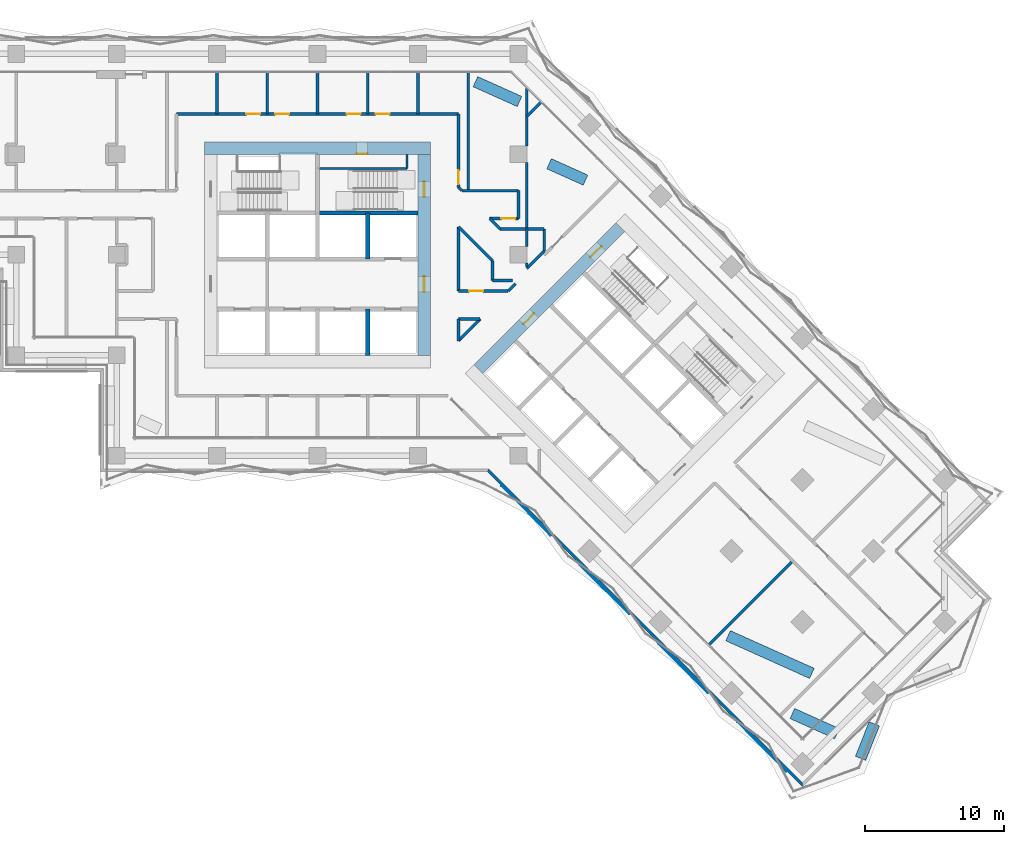
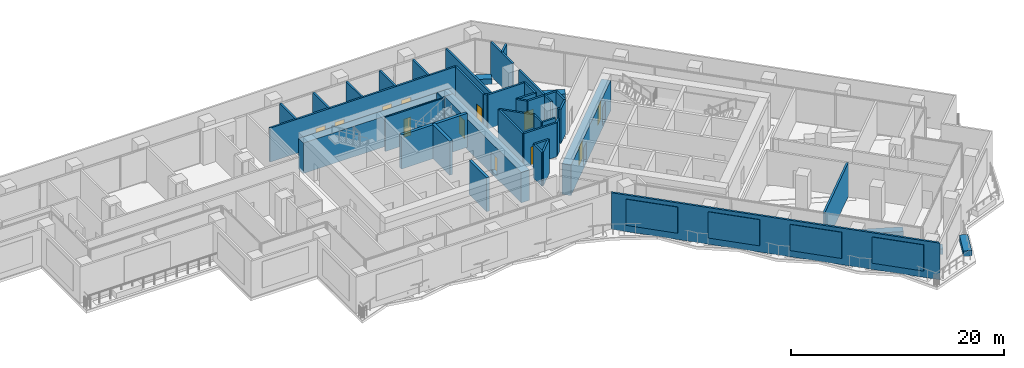
# One storey, part 15 of 24: 46 walls, 12 doors, 4 plates, 12 openings.
"""IFC4 building model written with IfcOpenShell, lengths in metres."""

import ifcopenshell
import ifcopenshell.guid

model = None  # the IFC model being written
_history = None  # IfcOwnerHistory: only IFC2X3 demands one
_inside = {}  # id of a spatial element -> (the spatial element, [elements in it])
_under = {}  # id of a project, library or spatial element -> (it, [spatial elements below it])
_declared = {}  # id of a project -> (the project, [libraries it declares])
_typed = {}  # id of a type object -> (the type object, [elements of that type])
_made_of = {}  # id of a material, layer set ... -> (it, [elements and type objects made of it])


def new_model(schema):
    """Start an empty IFC model of exactly this schema.

    Asked for "IFC4X3", IfcOpenShell would pick the latest addendum, in which some entities
    have other attributes; the version numbers below select the first issue.
    IFC2X3 requires an IfcOwnerHistory on every rooted entity: one is made here for all.
    """
    global model, _history
    if schema == "IFC4X3":
        model = ifcopenshell.file(schema_version=(4, 3, 0, 0))
    else:
        model = ifcopenshell.file(schema=schema)
    _inside.clear()
    _under.clear()
    _declared.clear()
    _typed.clear()
    _made_of.clear()
    _history = None
    if model.schema == "IFC2X3":
        org = make("IfcOrganization", Name="unknown")
        user = make(
            "IfcPersonAndOrganization",
            ThePerson=make("IfcPerson", FamilyName="unknown"),
            TheOrganization=org,
        )
        app = make(
            "IfcApplication",
            ApplicationDeveloper=org,
            Version="unknown",
            ApplicationFullName="unknown",
            ApplicationIdentifier="unknown",
        )
        _history = make(
            "IfcOwnerHistory",
            OwningUser=user,
            OwningApplication=app,
            ChangeAction="ADDED",
            CreationDate=0,
        )
    return model


def make(cls, **values):
    """One entity of the class cls with the attributes given. An attribute that is None is left unset."""
    return model.create_entity(
        cls, **{name: value for name, value in values.items() if value is not None}
    )


def rooted(cls, **values):
    """An entity with a GlobalId (a new one), such as an element, a storey or a relation."""
    return make(cls, GlobalId=ifcopenshell.guid.new(), OwnerHistory=_history, **values)


def si_unit(unit_type, name, prefix=None):
    """IfcSIUnit, for example si_unit("LENGTHUNIT", "METRE", prefix="MILLI")."""
    return make("IfcSIUnit", UnitType=unit_type, Prefix=prefix, Name=name)


def assignment(units):
    """IfcUnitAssignment: the units of a project."""
    return None if units is None else make("IfcUnitAssignment", Units=units)


def point(xyz):
    """IfcCartesianPoint."""
    return None if xyz is None else make("IfcCartesianPoint", Coordinates=xyz)


def direction(xyz):
    """IfcDirection."""
    return None if xyz is None else make("IfcDirection", DirectionRatios=xyz)


def frame(location, z_axis=None, x_axis=None):
    """IfcAxis2Placement3D, a coordinate frame: its origin and axes. An axis left out is left unset."""
    return make(
        "IfcAxis2Placement3D",
        Location=point(location),
        Axis=direction(z_axis),
        RefDirection=direction(x_axis),
    )


def frame_2d(location, x_axis=None):
    """IfcAxis2Placement2D, a coordinate frame in the plane: its origin and x axis."""
    return make(
        "IfcAxis2Placement2D", Location=point(location), RefDirection=direction(x_axis)
    )


def origin():
    """The frame at (0, 0, 0) with its axes left unset."""
    return frame((0.0, 0.0, 0.0))


def place(relative_to, where):
    """IfcLocalPlacement: puts the frame where relative to a parent placement (None: the world)."""
    return make(
        "IfcLocalPlacement", PlacementRelTo=relative_to, RelativePlacement=where
    )


def context(
    kind, dimensions, precision=None, world=None, true_north=None, identifier=None
):
    """IfcGeometricRepresentationContext, for example the 3D "Model" context."""
    return make(
        "IfcGeometricRepresentationContext",
        ContextIdentifier=identifier,
        ContextType=kind,
        CoordinateSpaceDimension=dimensions,
        Precision=precision,
        WorldCoordinateSystem=world,
        TrueNorth=true_north,
    )


def subcontext(parent, identifier, kind, view, scale=None):
    """IfcGeometricRepresentationSubContext, for example "Body" below "Model"."""
    return make(
        "IfcGeometricRepresentationSubContext",
        ContextIdentifier=identifier,
        ContextType=kind,
        ParentContext=parent,
        TargetScale=scale,
        TargetView=view,
    )


def project(units=None, contexts=None):
    """IfcProject with its units and contexts."""
    return rooted(
        "IfcProject",
        Name="project",
        RepresentationContexts=contexts,
        UnitsInContext=assignment(units),
    )


def spatial(cls, under=None, at=None, **own):
    """A site, building, storey or space (cls), placed at a placement, below another one or the project."""
    s = rooted(cls, ObjectPlacement=at, **own)
    if under is not None:
        _under.setdefault(under.id(), (under, []))[1].append(s)
    return s


def polyline(points):
    """IfcPolyline through the points."""
    return make("IfcPolyline", Points=[point(p) for p in points])


def profile(cls, at=None, kind="AREA", **sizes):
    """A parametric profile (cls). Its sizes go by their IFC names, for example OverallWidth=200.0."""
    return make(cls, ProfileType=kind, Position=at, **sizes)


def rectangle(**sizes):
    """IfcRectangleProfileDef."""
    return profile("IfcRectangleProfileDef", **sizes)


def outline(outer, holes=None, kind="AREA"):
    """IfcArbitraryClosedProfileDef: a profile drawn as a closed curve; with holes, ...WithVoids."""
    if holes is None:
        return make("IfcArbitraryClosedProfileDef", ProfileType=kind, OuterCurve=outer)
    return make(
        "IfcArbitraryProfileDefWithVoids",
        ProfileType=kind,
        OuterCurve=outer,
        InnerCurves=holes,
    )


def extrude(swept, where, along, depth):
    """IfcExtrudedAreaSolid: the profile swept, set in the frame where, extruded along a direction by depth."""
    return make(
        "IfcExtrudedAreaSolid",
        SweptArea=swept,
        Position=where,
        ExtrudedDirection=direction(along),
        Depth=depth,
    )


def shape(context_of_items, identifier, shape_type, items):
    """IfcShapeRepresentation: the items that make up one representation, for example the "Body"."""
    return make(
        "IfcShapeRepresentation",
        ContextOfItems=context_of_items,
        RepresentationIdentifier=identifier,
        RepresentationType=shape_type,
        Items=items,
    )


def material(Name=None, Category=None):
    """IfcMaterial."""
    return make("IfcMaterial", Name=Name, Category=Category)


def layer(
    of_material, thickness, ventilated=None, Name=None, Category=None, Priority=None
):
    """IfcMaterialLayer: one layer of a wall or slab, of a material (None: an air gap)."""
    return make(
        "IfcMaterialLayer",
        Material=of_material,
        LayerThickness=thickness,
        IsVentilated=ventilated,
        Name=Name,
        Category=Category,
        Priority=Priority,
    )


def layer_set(layers, Name=None):
    """IfcMaterialLayerSet."""
    return make("IfcMaterialLayerSet", MaterialLayers=layers, LayerSetName=Name)


def made_of(thing, what):
    """Note that an element or type object is made of a material, layer set ...; save() writes the relation."""
    if what is not None:
        _made_of.setdefault(what.id(), (what, []))[1].append(thing)
    return thing


def type_object(cls, material=None, **own):
    """A type object (cls), such as IfcWallType, which elements share."""
    return made_of(rooted(cls, **own), material)


def element(
    cls,
    number,
    at=None,
    inside=None,
    cuts=None,
    type_object=None,
    material=None,
    context=None,
    identifier="Body",
    shape_type=None,
    held_by="IfcProductDefinitionShape",
    body=None,
    shapes=None,
    **own,
):
    """One element of the class cls, such as IfcWall. Its Tag is "e" and its number.

    at: its placement. inside: the storey or other place that contains it. cuts: it is an
    opening in that element (IfcRelVoidsElement). A single representation is given by context,
    identifier, shape_type and body (its items); several are given by shapes. held_by: the class
    of the entity that holds the representations. save() writes the other relations.
    """
    e = rooted(cls, Tag="e%d" % number, ObjectPlacement=at, **own)
    if body is not None:
        shapes = [shape(context, identifier, shape_type, body)]
    if shapes is not None:
        e.Representation = make(held_by, Representations=shapes)
    if inside is not None:
        _inside.setdefault(inside.id(), (inside, []))[1].append(e)
    if cuts is not None:
        rooted(
            "IfcRelVoidsElement", RelatingBuildingElement=cuts, RelatedOpeningElement=e
        )
    if type_object is not None:
        _typed.setdefault(type_object.id(), (type_object, []))[1].append(e)
    return made_of(e, material)


def fill(opening, filler):
    """IfcRelFillsElement: the door or window that sits in an opening."""
    return rooted(
        "IfcRelFillsElement",
        RelatingOpeningElement=opening,
        RelatedBuildingElement=filler,
    )


def aggregate(whole, parts):
    """IfcRelAggregates: a whole, such as a stair, and the parts it consists of."""
    return rooted("IfcRelAggregates", RelatingObject=whole, RelatedObjects=parts)


def save(model, path):
    """Write the relations noted so far, then the file.

    IfcRelAggregates (storeys below a building ...), IfcRelContainedInSpatialStructure (elements
    in a storey), IfcRelDefinesByType, IfcRelAssociatesMaterial and IfcRelDeclares: one each for
    every whole, place, type object, material and project.
    """
    for whole, parts in _under.values():
        aggregate(whole, parts)
    for where, things in _inside.values():
        rooted(
            "IfcRelContainedInSpatialStructure",
            RelatedElements=things,
            RelatingStructure=where,
        )
    for kind, things in _typed.values():
        rooted("IfcRelDefinesByType", RelatedObjects=things, RelatingType=kind)
    for what, things in _made_of.values():
        rooted("IfcRelAssociatesMaterial", RelatedObjects=things, RelatingMaterial=what)
    for by, libraries in _declared.values():
        rooted("IfcRelDeclares", RelatingContext=by, RelatedDefinitions=libraries)
    model.write(path)


model = new_model("IFC4")

# Units and contexts
model_context = context("Model", 3, precision=1e-05, world=origin(), true_north=direction((0.0, 1.0)))
body_context = subcontext(model_context, "Body", "Model", "MODEL_VIEW")
ifc_project = project(units=[si_unit("LENGTHUNIT", "METRE"), si_unit("AREAUNIT", "SQUARE_METRE"), si_unit("VOLUMEUNIT", "CUBIC_METRE"), si_unit("PLANEANGLEUNIT", "RADIAN"), si_unit("MASSUNIT", "GRAM", prefix="KILO")], contexts=[model_context])

# Plate
ifc_material_1 = material(Name="Aluminium louvre", Category="aluminium")
ifc_layer_1 = layer(ifc_material_1, 0.05)
ifc_layer_set_1 = layer_set([ifc_layer_1], Name="Belt louvre panel 5000x3000")
plate_type = type_object("IfcPlateType", Name="Belt louvre panel 5000x3000", PredefinedType="SHEET", material=ifc_layer_set_1)
site_placement = place(None, origin())
building_placement = place(site_placement, origin())
storey_placement = place(building_placement, frame((0.0, 0.0, 67.8)))
plate_1_placement = place(storey_placement, frame((77.9625, 40.9934, 0.75), z_axis=(-0.7070967812, -0.7071167811, 0.0), x_axis=(0.7071167811, -0.7070967812, 0.0)))
plate_1 = element("IfcPlate", 1, at=plate_1_placement, type_object=plate_type, Name="Belt louvre panel L18 73.1", PredefinedType="SHEET", context=body_context, shape_type="SweptSolid", body=[
    extrude(outline(polyline([(0.0, 0.0), (5.0, 0.0), (5.0, 3.0), (0.0, 3.0), (0.0, 0.0)])), origin(), (0.0, 0.0, -1.0), 0.05),
])

plate_2_placement = place(storey_placement, frame((83.5992, 35.3568, 0.75), z_axis=(-0.7071167811, -0.7070967812, 0.0), x_axis=(0.7070967812, -0.7071167811, 0.0)))
plate_2 = element("IfcPlate", 2, at=plate_2_placement, type_object=plate_type, Name="Belt louvre panel L18 74.2", PredefinedType="SHEET", context=body_context, shape_type="SweptSolid", body=[
    extrude(outline(polyline([(0.0, 0.0), (5.0, 0.0), (5.0, 3.0), (0.0, 3.0), (0.0, 0.0)])), origin(), (0.0, 0.0, -1.0), 0.05),
])

plate_3_placement = place(storey_placement, frame((89.2359, 29.7201, 0.75), z_axis=(-0.7071167811, -0.7070967812, 0.0), x_axis=(0.7070967812, -0.7071167811, 0.0)))
plate_3 = element("IfcPlate", 3, at=plate_3_placement, type_object=plate_type, Name="Belt louvre panel L18 75.3", PredefinedType="SHEET", context=body_context, shape_type="SweptSolid", body=[
    extrude(outline(polyline([(0.0, 0.0), (5.0, 0.0), (5.0, 3.0), (0.0, 3.0), (0.0, 0.0)])), origin(), (0.0, 0.0, -1.0), 0.05),
])

plate_4_placement = place(storey_placement, frame((94.8725, 24.0834, 0.75), z_axis=(-0.7071067812, -0.7071067812, 0.0), x_axis=(0.7071067812, -0.7071067812, 0.0)))
plate_4 = element("IfcPlate", 4, at=plate_4_placement, type_object=plate_type, Name="Belt louvre panel L18 76.4", PredefinedType="SHEET", context=body_context, shape_type="SweptSolid", body=[
    extrude(outline(polyline([(0.0, 0.0), (5.0, 0.0), (5.0, 3.0), (0.0, 3.0), (0.0, 0.0)])), origin(), (0.0, 0.0, -1.0), 0.05),
])

# Site, building, storey
site = spatial("IfcSite", under=ifc_project, at=site_placement, CompositionType="ELEMENT")
building = spatial("IfcBuilding", under=site, at=building_placement, Name="Windrow Commons", CompositionType="ELEMENT")
storey = spatial("IfcBuildingStorey", under=building, at=storey_placement, Name="L18", CompositionType="ELEMENT", Elevation=67.8)

# Wall
ifc_material_2 = material(Name="Concrete C40/50 precast screen panel", Category="concrete")
ifc_layer_2 = layer(ifc_material_2, 0.2)
ifc_layer_set_2 = layer_set([ifc_layer_2], Name="Belt screen wall 200")
wall_type_1 = type_object("IfcWallType", Name="Belt screen wall 200", PredefinedType="SOLIDWALL", material=ifc_layer_set_2)
wall_1_placement = place(storey_placement, frame((77.0181, 42.15, 0.0), z_axis=(0.0, 0.0, 1.0), x_axis=(0.7071067812, -0.7071067812, 0.0)))
wall_1 = element("IfcWall", 5, at=wall_1_placement, inside=storey, type_object=wall_type_1, Name="Belt screen wall L18 73", PredefinedType="SOLIDWALL", context=body_context, shape_type="SweptSolid", body=[
    extrude(outline(polyline([(0.0414, -0.1), (31.9857, -0.1), (31.7857, 0.1), (-0.0414, 0.1), (0.0414, -0.1)])), origin(), (0.0, 0.0, 1.0), 4.2),
])

aggregate(wall_1, [plate_1, plate_2, plate_3, plate_4])

# Wall, openings, doors
ifc_material_3 = material(Name="Blockwork partition", Category="masonry")
ifc_layer_3 = layer(ifc_material_3, 0.2)
ifc_layer_set_3 = layer_set([ifc_layer_3], Name="IW-CORRIDOR-200")
wall_type_2 = type_object("IfcWallType", Name="IW-CORRIDOR-200", PredefinedType="PARTITIONING", material=ifc_layer_set_3)
wall_2_placement = place(storey_placement, frame((54.7, 67.7, 0.0), z_axis=(0.0, 0.0, 1.0), x_axis=(1.0, 0.0, 0.0)))
wall_2 = element("IfcWall", 6, at=wall_2_placement, inside=storey, type_object=wall_type_2, Name="W-L18-W002", PredefinedType="PARTITIONING", context=body_context, shape_type="SweptSolid", body=[
    extrude(rectangle(XDim=20.2, YDim=0.2, at=frame_2d((10.1, 0.0))), origin(), (0.0, 0.0, 1.0), 3.9),
])
opening_1_placement = place(wall_2_placement, frame((4.9925, 0.0, 0.0)))
opening_1 = element("IfcOpeningElement", 7, at=opening_1_placement, cuts=wall_2, Name="Opening D310F", PredefinedType="OPENING", context=body_context, shape_type="SweptSolid", body=[
    extrude(rectangle(XDim=1.0, YDim=2.1, at=frame_2d((0.5, 1.05))), frame((0.0, 0.11, 0.0), z_axis=(0.0, -1.0, 0.0), x_axis=(1.0, 0.0, 0.0)), (0.0, 0.0, 1.0), 0.22),
])
opening_2_placement = place(wall_2_placement, frame((7.0675, 0.0, 0.0)))
opening_2 = element("IfcOpeningElement", 8, at=opening_2_placement, cuts=wall_2, Name="Opening D310F", PredefinedType="OPENING", context=body_context, shape_type="SweptSolid", body=[
    extrude(rectangle(XDim=1.0, YDim=2.1, at=frame_2d((0.5, 1.05))), frame((0.0, 0.11, 0.0), z_axis=(0.0, -1.0, 0.0), x_axis=(1.0, 0.0, 0.0)), (0.0, 0.0, 1.0), 0.22),
])
opening_3_placement = place(wall_2_placement, frame((12.1925, 0.0, 0.0)))
opening_3 = element("IfcOpeningElement", 9, at=opening_3_placement, cuts=wall_2, Name="Opening D310F", PredefinedType="OPENING", context=body_context, shape_type="SweptSolid", body=[
    extrude(rectangle(XDim=1.0, YDim=2.1, at=frame_2d((0.5, 1.05))), frame((0.0, 0.11, 0.0), z_axis=(0.0, -1.0, 0.0), x_axis=(1.0, 0.0, 0.0)), (0.0, 0.0, 1.0), 0.22),
])
opening_4_placement = place(wall_2_placement, frame((14.2675, 0.0, 0.0)))
opening_4 = element("IfcOpeningElement", 10, at=opening_4_placement, cuts=wall_2, Name="Opening D310F", PredefinedType="OPENING", context=body_context, shape_type="SweptSolid", body=[
    extrude(rectangle(XDim=1.0, YDim=2.1, at=frame_2d((0.5, 1.05))), frame((0.0, 0.11, 0.0), z_axis=(0.0, -1.0, 0.0), x_axis=(1.0, 0.0, 0.0)), (0.0, 0.0, 1.0), 0.22),
])
ifc_material_4 = material(Name="Timber door leaf", Category="wood")
door_type_1 = type_object("IfcDoorType", Name="DT-AMENITY-1000", OperationType="SINGLE_SWING_LEFT", PredefinedType="DOOR", material=ifc_material_4)
door_1_placement = place(opening_1_placement, origin())
door_1 = element("IfcDoor", 11, at=door_1_placement, inside=storey, type_object=door_type_1, Name="D-L18-D019", OperationType="SINGLE_SWING_RIGHT", OverallHeight=2.1, OverallWidth=1.0, PredefinedType="DOOR", context=body_context, shape_type="SweptSolid", body=[
    extrude(rectangle(XDim=1.0, YDim=2.1, at=frame_2d((0.5, 1.05))), frame((0.0, 0.025, 0.0), z_axis=(0.0, -1.0, 0.0), x_axis=(1.0, 0.0, 0.0)), (0.0, 0.0, 1.0), 0.05),
])
fill(opening_1, door_1)
door_2_placement = place(opening_2_placement, origin())
door_2 = element("IfcDoor", 12, at=door_2_placement, inside=storey, type_object=door_type_1, Name="D-L18-D020", OperationType="SINGLE_SWING_LEFT", OverallHeight=2.1, OverallWidth=1.0, PredefinedType="DOOR", context=body_context, shape_type="SweptSolid", body=[
    extrude(rectangle(XDim=1.0, YDim=2.1, at=frame_2d((0.5, 1.05))), frame((0.0, 0.025, 0.0), z_axis=(0.0, -1.0, 0.0), x_axis=(1.0, 0.0, 0.0)), (0.0, 0.0, 1.0), 0.05),
])
fill(opening_2, door_2)
door_3_placement = place(opening_3_placement, origin())
door_3 = element("IfcDoor", 13, at=door_3_placement, inside=storey, type_object=door_type_1, Name="D-L18-D021", OperationType="SINGLE_SWING_RIGHT", OverallHeight=2.1, OverallWidth=1.0, PredefinedType="DOOR", context=body_context, shape_type="SweptSolid", body=[
    extrude(rectangle(XDim=1.0, YDim=2.1, at=frame_2d((0.5, 1.05))), frame((0.0, 0.025, 0.0), z_axis=(0.0, -1.0, 0.0), x_axis=(1.0, 0.0, 0.0)), (0.0, 0.0, 1.0), 0.05),
])
fill(opening_3, door_3)
door_4_placement = place(opening_4_placement, origin())
door_4 = element("IfcDoor", 14, at=door_4_placement, inside=storey, type_object=door_type_1, Name="D-L18-D022", OperationType="SINGLE_SWING_LEFT", OverallHeight=2.1, OverallWidth=1.0, PredefinedType="DOOR", context=body_context, shape_type="SweptSolid", body=[
    extrude(rectangle(XDim=1.0, YDim=2.1, at=frame_2d((0.5, 1.05))), frame((0.0, 0.025, 0.0), z_axis=(0.0, -1.0, 0.0), x_axis=(1.0, 0.0, 0.0)), (0.0, 0.0, 1.0), 0.05),
])
fill(opening_4, door_4)

# Wall, opening, door
wall_3_placement = place(storey_placement, frame((74.9, 62.442, 0.0), z_axis=(0.0, 0.0, 1.0), x_axis=(0.0, 1.0, 0.0)))
wall_3 = element("IfcWall", 15, at=wall_3_placement, inside=storey, type_object=wall_type_2, Name="W-L18-W020", PredefinedType="PARTITIONING", context=body_context, shape_type="SweptSolid", body=[
    extrude(rectangle(XDim=5.258, YDim=0.2, at=frame_2d((2.629, 0.0))), origin(), (0.0, 0.0, 1.0), 3.9),
])
opening_5_placement = place(wall_3_placement, frame((0.2095, 0.0, 0.0)))
opening_5 = element("IfcOpeningElement", 16, at=opening_5_placement, cuts=wall_3, Name="Opening D310F", PredefinedType="OPENING", context=body_context, shape_type="SweptSolid", body=[
    extrude(rectangle(XDim=1.0, YDim=2.1, at=frame_2d((0.5, 1.05))), frame((0.0, 0.11, 0.0), z_axis=(0.0, -1.0, 0.0), x_axis=(1.0, 0.0, 0.0)), (0.0, 0.0, 1.0), 0.22),
])
door_5_placement = place(opening_5_placement, origin())
door_5 = element("IfcDoor", 17, at=door_5_placement, inside=storey, type_object=door_type_1, Name="D-L18-D018", OperationType="SINGLE_SWING_RIGHT", OverallHeight=2.1, OverallWidth=1.0, PredefinedType="DOOR", context=body_context, shape_type="SweptSolid", body=[
    extrude(rectangle(XDim=1.0, YDim=2.1, at=frame_2d((0.5, 1.05))), frame((0.0, 0.025, 0.0), z_axis=(0.0, -1.0, 0.0), x_axis=(1.0, 0.0, 0.0)), (0.0, 0.0, 1.0), 0.05),
])
fill(opening_5, door_5)

# Walls
wall_4_placement = place(storey_placement, frame((74.9, 55.002, 0.0), z_axis=(0.0, 0.0, 1.0), x_axis=(0.0, 1.0, 0.0)))
element("IfcWall", 18, at=wall_4_placement, inside=storey, type_object=wall_type_2, Name="W-L18-W028", PredefinedType="PARTITIONING", context=body_context, shape_type="SweptSolid", body=[
    extrude(rectangle(XDim=4.608, YDim=0.2, at=frame_2d((2.304, 0.0))), origin(), (0.0, 0.0, 1.0), 3.9),
])
wall_5_placement = place(storey_placement, frame((75.142, 62.2, 0.0), z_axis=(0.0, 0.0, 1.0), x_axis=(1.0, 0.0, 0.0)))
element("IfcWall", 19, at=wall_5_placement, inside=storey, type_object=wall_type_2, Name="W-L18-W032", PredefinedType="PARTITIONING", context=body_context, shape_type="SweptSolid", body=[
    extrude(rectangle(XDim=4.058, YDim=0.2, at=frame_2d((2.029, 0.0))), origin(), (0.0, 0.0, 1.0), 3.9),
])

# Wall, opening, door
wall_6_placement = place(storey_placement, frame((74.902, 55.0, 0.0), z_axis=(0.0, 0.0, 1.0), x_axis=(1.0, 0.0, 0.0)))
wall_6 = element("IfcWall", 20, at=wall_6_placement, inside=storey, type_object=wall_type_2, Name="W-L18-W038", PredefinedType="PARTITIONING", context=body_context, shape_type="SweptSolid", body=[
    extrude(rectangle(XDim=3.562, YDim=0.2, at=frame_2d((1.781, 0.0))), origin(), (0.0, 0.0, 1.0), 3.9),
])
opening_6_placement = place(wall_6_placement, frame((0.7643, 0.0, 0.0)))
opening_6 = element("IfcOpeningElement", 21, at=opening_6_placement, cuts=wall_6, Name="Opening D310F", PredefinedType="OPENING", context=body_context, shape_type="SweptSolid", body=[
    extrude(rectangle(XDim=1.0, YDim=2.1, at=frame_2d((0.5, 1.05))), frame((0.0, 0.11, 0.0), z_axis=(0.0, -1.0, 0.0), x_axis=(1.0, 0.0, 0.0)), (0.0, 0.0, 1.0), 0.22),
])
door_6_placement = place(opening_6_placement, origin())
door_6 = element("IfcDoor", 22, at=door_6_placement, inside=storey, type_object=door_type_1, Name="D-L18-D011", OperationType="SINGLE_SWING_LEFT", OverallHeight=2.1, OverallWidth=1.0, PredefinedType="DOOR", context=body_context, shape_type="SweptSolid", body=[
    extrude(rectangle(XDim=1.0, YDim=2.1, at=frame_2d((0.5, 1.05))), frame((0.0, 0.025, 0.0), z_axis=(0.0, -1.0, 0.0), x_axis=(1.0, 0.0, 0.0)), (0.0, 0.0, 1.0), 0.05),
])
fill(opening_6, door_6)

# Walls
wall_7_placement = place(storey_placement, frame((74.8989, 59.6069, 0.0), z_axis=(0.0, 0.0, 1.0), x_axis=(0.7071067812, -0.7071067812, 0.0)))
element("IfcWall", 23, at=wall_7_placement, inside=storey, type_object=wall_type_2, Name="W-L18-W039", PredefinedType="PARTITIONING", context=body_context, shape_type="SweptSolid", body=[
    extrude(rectangle(XDim=3.462, YDim=0.2, at=frame_2d((1.731, 0.0))), origin(), (0.0, 0.0, 1.0), 3.9),
])
wall_8_placement = place(storey_placement, frame((74.9009, 51.4391, 0.0), z_axis=(0.0, 0.0, 1.0), x_axis=(0.7071067812, 0.7071067812, 0.0)))
element("IfcWall", 24, at=wall_8_placement, inside=storey, type_object=wall_type_2, Name="W-L18-W053", PredefinedType="PARTITIONING", context=body_context, shape_type="SweptSolid", body=[
    extrude(rectangle(XDim=2.2062, YDim=0.2, at=frame_2d((1.1031, 0.0))), origin(), (0.0, 0.0, 1.0), 3.9),
])

# Wall, opening, door
wall_9_placement = place(storey_placement, frame((77.144, 60.2, 0.0), z_axis=(0.0, 0.0, 1.0), x_axis=(1.0, 0.0, 0.0)))
wall_9 = element("IfcWall", 25, at=wall_9_placement, inside=storey, type_object=wall_type_2, Name="W-L18-W054", PredefinedType="PARTITIONING", context=body_context, shape_type="SweptSolid", body=[
    extrude(rectangle(XDim=2.054, YDim=0.2, at=frame_2d((1.027, 0.0))), origin(), (0.0, 0.0, 1.0), 3.9),
])
opening_7_placement = place(wall_9_placement, frame((0.8324, 0.0, 0.0)))
opening_7 = element("IfcOpeningElement", 26, at=opening_7_placement, cuts=wall_9, Name="Opening D310F", PredefinedType="OPENING", context=body_context, shape_type="SweptSolid", body=[
    extrude(rectangle(XDim=1.0, YDim=2.1, at=frame_2d((0.5, 1.05))), frame((0.0, 0.11, 0.0), z_axis=(0.0, -1.0, 0.0), x_axis=(1.0, 0.0, 0.0)), (0.0, 0.0, 1.0), 0.22),
])
door_7_placement = place(opening_7_placement, origin())
door_7 = element("IfcDoor", 27, at=door_7_placement, inside=storey, type_object=door_type_1, Name="D-L18-D023", OperationType="SINGLE_SWING_LEFT", OverallHeight=2.1, OverallWidth=1.0, PredefinedType="DOOR", context=body_context, shape_type="SweptSolid", body=[
    extrude(rectangle(XDim=1.0, YDim=2.1, at=frame_2d((0.5, 1.05))), frame((0.0, 0.025, 0.0), z_axis=(0.0, -1.0, 0.0), x_axis=(1.0, 0.0, 0.0)), (0.0, 0.0, 1.0), 0.05),
])
fill(opening_7, door_7)

# Walls
wall_10_placement = place(storey_placement, frame((79.2, 60.202, 0.0), z_axis=(0.0, 0.0, 1.0), x_axis=(0.0, 1.0, 0.0)))
element("IfcWall", 28, at=wall_10_placement, inside=storey, type_object=wall_type_2, Name="W-L18-W058", PredefinedType="PARTITIONING", context=body_context, shape_type="SweptSolid", body=[
    extrude(rectangle(XDim=1.998, YDim=0.2, at=frame_2d((0.999, 0.0))), origin(), (0.0, 0.0, 1.0), 3.9),
])
wall_11_placement = place(storey_placement, frame((77.892, 59.45, 0.0), z_axis=(0.0, 0.0, 1.0), x_axis=(1.0, 0.0, 0.0)))
element("IfcWall", 29, at=wall_11_placement, inside=storey, type_object=wall_type_2, Name="W-L18-W060", PredefinedType="PARTITIONING", context=body_context, shape_type="SweptSolid", body=[
    extrude(rectangle(XDim=1.908, YDim=0.2, at=frame_2d((0.954, 0.0))), origin(), (0.0, 0.0, 1.0), 3.9),
])
wall_12_placement = place(storey_placement, frame((79.8015, 56.6225, 0.0), z_axis=(0.0, 0.0, 1.0), x_axis=(0.7071067812, 0.7071067812, 0.0)))
element("IfcWall", 30, at=wall_12_placement, inside=storey, type_object=wall_type_2, Name="W-L18-W068", PredefinedType="PARTITIONING", context=body_context, shape_type="SweptSolid", body=[
    extrude(rectangle(XDim=1.7649, YDim=0.2, at=frame_2d((0.8824, 0.0))), origin(), (0.0, 0.0, 1.0), 3.9),
])
wall_13_placement = place(storey_placement, frame((74.9, 51.438, 0.0), z_axis=(0.0, 0.0, 1.0), x_axis=(0.0, 1.0, 0.0)))
element("IfcWall", 31, at=wall_13_placement, inside=storey, type_object=wall_type_2, Name="W-L18-W071", PredefinedType="PARTITIONING", context=body_context, shape_type="SweptSolid", body=[
    extrude(rectangle(XDim=1.562, YDim=0.2, at=frame_2d((0.781, 0.0))), origin(), (0.0, 0.0, 1.0), 3.9),
])
wall_14_placement = place(storey_placement, frame((74.902, 53.0, 0.0), z_axis=(0.0, 0.0, 1.0), x_axis=(1.0, 0.0, 0.0)))
element("IfcWall", 32, at=wall_14_placement, inside=storey, type_object=wall_type_2, Name="W-L18-W072", PredefinedType="PARTITIONING", context=body_context, shape_type="SweptSolid", body=[
    extrude(rectangle(XDim=1.56, YDim=0.2, at=frame_2d((0.78, 0.0))), origin(), (0.0, 0.0, 1.0), 3.9),
])
for number, where, z_axis, x_axis, name in (
    (33, (77.352, 55.75, 0.0), (0.0, 0.0, 1.0), (1.0, 0.0, 0.0), "W-L18-W075"),
    (34, (77.35, 55.752, 0.0), (0.0, 0.0, 1.0), (0.0, 1.0, 0.0), "W-L18-W076"),
):
    element("IfcWall", number, at=place(storey_placement, frame(where, z_axis=z_axis, x_axis=x_axis)), inside=storey, type_object=wall_type_2, Name=name, PredefinedType="PARTITIONING", context=body_context, shape_type="SweptSolid", body=[
        extrude(rectangle(XDim=1.41, YDim=0.2, at=frame_2d((0.705, 0.0))), origin(), (0.0, 0.0, 1.0), 3.9),
    ])
wall_15_placement = place(storey_placement, frame((79.8, 58.2, 0.0), z_axis=(0.0, 0.0, 1.0), x_axis=(0.0, 1.0, 0.0)))
element("IfcWall", 35, at=wall_15_placement, inside=storey, type_object=wall_type_2, Name="W-L18-W082", PredefinedType="PARTITIONING", context=body_context, shape_type="SweptSolid", body=[
    extrude(rectangle(XDim=1.25, YDim=0.2, at=frame_2d((0.625, 0.0))), origin(), (0.0, 0.0, 1.0), 3.9),
])
wall_16_placement = place(storey_placement, frame((77.1391, 60.1951, 0.0), z_axis=(0.0, 0.0, 1.0), x_axis=(0.7071067812, -0.7071067812, 0.0)))
element("IfcWall", 36, at=wall_16_placement, inside=storey, type_object=wall_type_2, Name="W-L18-W084", PredefinedType="PARTITIONING", context=body_context, shape_type="SweptSolid", body=[
    extrude(rectangle(XDim=1.0578, YDim=0.2, at=frame_2d((0.5289, 0.0))), origin(), (0.0, 0.0, 1.0), 3.9),
])
wall_17_placement = place(storey_placement, frame((78.4629, 55.0011, 0.0), z_axis=(0.0, 0.0, 1.0), x_axis=(0.7071067812, 0.7071067812, 0.0)))
element("IfcWall", 37, at=wall_17_placement, inside=storey, type_object=wall_type_2, Name="W-L18-W087", PredefinedType="PARTITIONING", context=body_context, shape_type="SweptSolid", body=[
    extrude(rectangle(XDim=0.741, YDim=0.2, at=frame_2d((0.3705, 0.0))), origin(), (0.0, 0.0, 1.0), 3.9),
])
wall_18_placement = place(storey_placement, frame((79.8, 56.752, 0.0), z_axis=(0.0, 0.0, 1.0), x_axis=(0.0, 1.0, 0.0)))
element("IfcWall", 38, at=wall_18_placement, inside=storey, type_object=wall_type_2, Name="W-L18-W098", PredefinedType="PARTITIONING", context=body_context, shape_type="SweptSolid", body=[
    extrude(rectangle(XDim=0.248, YDim=0.2, at=frame_2d((0.124, 0.0))), origin(), (0.0, 0.0, 1.0), 3.9),
])
wall_19_placement = place(storey_placement, frame((74.8971, 62.4371, 0.0), z_axis=(0.0, 0.0, 1.0), x_axis=(0.7071067812, -0.7071067812, 0.0)))
element("IfcWall", 39, at=wall_19_placement, inside=storey, type_object=wall_type_2, Name="W-L18-W099", PredefinedType="PARTITIONING", context=body_context, shape_type="SweptSolid", body=[
    extrude(rectangle(XDim=0.3394, YDim=0.2, at=frame_2d((0.1697, 0.0))), origin(), (0.0, 0.0, 1.0), 3.9),
])
ifc_material_5 = material(Name="Blockwork partition", Category="masonry")
ifc_layer_4 = layer(ifc_material_5, 0.2)
ifc_layer_set_4 = layer_set([ifc_layer_4], Name="IW-PARTY-200")
wall_type_3 = type_object("IfcWallType", Name="IW-PARTY-200", PredefinedType="PARTITIONING", material=ifc_layer_set_4)
wall_20_placement = place(storey_placement, frame((92.8666, 29.6654, 0.0), z_axis=(0.0, 0.0, 1.0), x_axis=(0.7071067812, 0.7071067812, 0.0)))
element("IfcWall", 40, at=wall_20_placement, inside=storey, type_object=wall_type_3, Name="W-L18-W005", PredefinedType="PARTITIONING", context=body_context, shape_type="SweptSolid", body=[
    extrude(rectangle(XDim=8.4711, YDim=0.2, at=frame_2d((4.2355, 0.0))), origin(), (0.0, 0.0, 1.0), 3.9),
])
wall_21_placement = place(storey_placement, frame((75.6, 62.2, 0.0), z_axis=(0.0, 0.0, 1.0), x_axis=(0.0, 1.0, 0.0)))
element("IfcWall", 41, at=wall_21_placement, inside=storey, type_object=wall_type_3, Name="W-L18-W010", PredefinedType="PARTITIONING", context=body_context, shape_type="SweptSolid", body=[
    extrude(rectangle(XDim=8.47, YDim=0.2, at=frame_2d((4.235, 0.0))), origin(), (0.0, 0.0, 1.0), 3.9),
])
wall_22_placement = place(storey_placement, frame((79.8, 59.45, 0.0), z_axis=(0.0, 0.0, 1.0), x_axis=(0.0, 1.0, 0.0)))
element("IfcWall", 42, at=wall_22_placement, inside=storey, type_object=wall_type_3, Name="W-L18-W026", PredefinedType="PARTITIONING", context=body_context, shape_type="SweptSolid", body=[
    extrude(rectangle(XDim=4.75, YDim=0.2, at=frame_2d((2.375, 0.0))), origin(), (0.0, 0.0, 1.0), 3.9),
])
wall_23_placement = place(storey_placement, frame((79.8, 65.4, 0.0), z_axis=(0.0, 0.0, 1.0), x_axis=(0.0, 1.0, 0.0)))
element("IfcWall", 43, at=wall_23_placement, inside=storey, type_object=wall_type_3, Name="W-L18-W030", PredefinedType="PARTITIONING", context=body_context, shape_type="SweptSolid", body=[
    extrude(rectangle(XDim=4.12, YDim=0.2, at=frame_2d((2.06, 0.0))), origin(), (0.0, 0.0, 1.0), 3.9),
])
for number, where, z_axis, x_axis, name in (
    (44, (57.6, 67.7, 0.0), (0.0, 0.0, 1.0), (0.0, 1.0, 0.0), "W-L18-W041"),
    (45, (61.2, 67.7, 0.0), (0.0, 0.0, 1.0), (0.0, 1.0, 0.0), "W-L18-W043"),
    (46, (64.8, 67.7, 0.0), (0.0, 0.0, 1.0), (0.0, 1.0, 0.0), "W-L18-W045"),
    (47, (68.4, 67.7, 0.0), (0.0, 0.0, 1.0), (0.0, 1.0, 0.0), "W-L18-W047"),
    (48, (72.0, 67.7, 0.0), (0.0, 0.0, 1.0), (0.0, 1.0, 0.0), "W-L18-W049"),
):
    element("IfcWall", number, at=place(storey_placement, frame(where, z_axis=z_axis, x_axis=x_axis)), inside=storey, type_object=wall_type_3, Name=name, PredefinedType="PARTITIONING", context=body_context, shape_type="SweptSolid", body=[
        extrude(rectangle(XDim=2.97, YDim=0.2, at=frame_2d((1.485, 0.0))), origin(), (0.0, 0.0, 1.0), 3.9),
    ])
wall_24_placement = place(storey_placement, frame((81.05, 57.87, 0.0), z_axis=(0.0, 0.0, 1.0), x_axis=(0.0, 1.0, 0.0)))
element("IfcWall", 49, at=wall_24_placement, inside=storey, type_object=wall_type_3, Name="W-L18-W070", PredefinedType="PARTITIONING", context=body_context, shape_type="SweptSolid", body=[
    extrude(rectangle(XDim=1.578, YDim=0.2, at=frame_2d((0.789, 0.0))), origin(), (0.0, 0.0, 1.0), 3.9),
])
wall_25_placement = place(storey_placement, frame((79.7988, 67.5092, 0.0), z_axis=(0.0, 0.0, 1.0), x_axis=(0.7071067812, 0.7071067812, 0.0)))
element("IfcWall", 50, at=wall_25_placement, inside=storey, type_object=wall_type_3, Name="W-L18-W073", PredefinedType="PARTITIONING", context=body_context, shape_type="SweptSolid", body=[
    extrude(rectangle(XDim=1.4227, YDim=0.2, at=frame_2d((0.7114, 0.0))), origin(), (0.0, 0.0, 1.0), 3.9),
])
wall_26_placement = place(storey_placement, frame((79.8, 59.45, 0.0), z_axis=(0.0, 0.0, 1.0), x_axis=(1.0, 0.0, 0.0)))
element("IfcWall", 51, at=wall_26_placement, inside=storey, type_object=wall_type_3, Name="W-L18-W083", PredefinedType="PARTITIONING", context=body_context, shape_type="SweptSolid", body=[
    extrude(rectangle(XDim=1.248, YDim=0.2, at=frame_2d((0.624, 0.0))), origin(), (0.0, 0.0, 1.0), 3.9),
])
ifc_material_6 = material(Name="Concrete C30/37 planter wall", Category="concrete")
ifc_layer_5 = layer(ifc_material_6, 0.8)
ifc_layer_set_5 = layer_set([ifc_layer_5], Name="Planter 800x600")
wall_type_4 = type_object("IfcWallType", Name="Planter 800x600", PredefinedType="SOLIDWALL", material=ifc_layer_set_5)
wall_27_placement = place(storey_placement, frame((103.7296, 21.5057, 0.0), z_axis=(0.0, 0.0, 1.0), x_axis=(0.3696998756, 0.9291512266, 0.0)))
element("IfcWall", 52, at=wall_27_placement, inside=storey, type_object=wall_type_4, Name="PLANTER TR-L18-1.3", PredefinedType="SOLIDWALL", context=body_context, shape_type="SweptSolid", body=[
    extrude(rectangle(XDim=2.6624, YDim=0.8, at=frame_2d((1.3312, 0.0))), origin(), (0.0, 0.0, 1.0), 0.65),
])
wall_28_placement = place(storey_placement, frame((79.28, 68.5896, 0.0), z_axis=(0.0, 0.0, 1.0), x_axis=(-0.9121050399, 0.4099565785, 0.0)))
element("IfcWall", 53, at=wall_28_placement, inside=storey, type_object=wall_type_4, Name="PLANTER TR-L18-1 bed 1", PredefinedType="SOLIDWALL", context=body_context, shape_type="SweptSolid", body=[
    extrude(rectangle(XDim=3.4645, YDim=0.8, at=frame_2d((1.7323, 0.0))), origin(), (0.0, 0.0, 1.0), 0.65),
])
wall_29_placement = place(storey_placement, frame((84.0121, 62.9544, 0.0), z_axis=(0.0, 0.0, 1.0), x_axis=(-0.9121102307, 0.4099450292, 0.0)))
element("IfcWall", 54, at=wall_29_placement, inside=storey, type_object=wall_type_4, Name="PLANTER TR-L18-1 bed 2", PredefinedType="SOLIDWALL", context=body_context, shape_type="SweptSolid", body=[
    extrude(rectangle(XDim=2.8638, YDim=0.8, at=frame_2d((1.4319, 0.0))), origin(), (0.0, 0.0, 1.0), 0.65),
])
wall_30_placement = place(storey_placement, frame((100.2415, 27.5933, 0.0), z_axis=(0.0, 0.0, 1.0), x_axis=(-0.9121025807, 0.4099620498, 0.0)))
element("IfcWall", 55, at=wall_30_placement, inside=storey, type_object=wall_type_4, Name="PLANTER TR-L18-1 bed 19", PredefinedType="SOLIDWALL", context=body_context, shape_type="SweptSolid", body=[
    extrude(rectangle(XDim=6.5894, YDim=0.8, at=frame_2d((3.2947, 0.0))), origin(), (0.0, 0.0, 1.0), 0.65),
])
wall_31_placement = place(storey_placement, frame((102.0449, 23.2745, 0.0), z_axis=(0.0, 0.0, 1.0), x_axis=(-0.9121017012, 0.4099640067, 0.0)))
element("IfcWall", 56, at=wall_31_placement, inside=storey, type_object=wall_type_4, Name="PLANTER TR-L18-1 bed 22", PredefinedType="SOLIDWALL", context=body_context, shape_type="SweptSolid", body=[
    extrude(rectangle(XDim=3.5184, YDim=0.8, at=frame_2d((1.7592, 0.0))), origin(), (0.0, 0.0, 1.0), 0.65),
])

# Wall, opening, door
ifc_material_7 = material(Name="Concrete C60/75", Category="concrete")
ifc_layer_6 = layer(ifc_material_7, 0.9)
ifc_layer_set_6 = layer_set([ifc_layer_6], Name="RC CORE WALL 900 C60/75")
wall_type_5 = type_object("IfcWallType", Name="RC CORE WALL 900 C60/75", PredefinedType="SHEAR", material=ifc_layer_set_6)
wall_32_placement = place(storey_placement, frame((56.7, 65.25, -0.3), z_axis=(0.0, 0.0, 1.0), x_axis=(1.0, 0.0, 0.0)))
wall_32 = element("IfcWall", 57, at=wall_32_placement, inside=storey, type_object=wall_type_5, Name="Core A wall outer-N", PredefinedType="SHEAR", context=body_context, shape_type="SweptSolid", body=[
    extrude(rectangle(XDim=16.2, YDim=0.9, at=frame_2d((8.1, 0.0))), origin(), (0.0, 0.0, 1.0), 3.5),
])
opening_8_placement = place(wall_32_placement, frame((10.9, 0.0, 0.3)))
opening_8 = element("IfcOpeningElement", 58, at=opening_8_placement, cuts=wall_32, Name="Opening D9", PredefinedType="OPENING", context=body_context, shape_type="SweptSolid", body=[
    extrude(rectangle(XDim=0.8, YDim=2.1, at=frame_2d((0.4, 1.05))), frame((0.0, 0.46, 0.0), z_axis=(0.0, -1.0, 0.0), x_axis=(1.0, 0.0, 0.0)), (0.0, 0.0, 1.0), 0.92),
])
ifc_material_8 = material(Name="Steel fire door leaf", Category="steel")
door_type_2 = type_object("IfcDoorType", Name="Riser access door 800", OperationType="SINGLE_SWING_LEFT", PredefinedType="DOOR", material=ifc_material_8)
door_8_placement = place(opening_8_placement, origin())
door_8 = element("IfcDoor", 59, at=door_8_placement, inside=storey, type_object=door_type_2, Name="Riser access door", OperationType="SINGLE_SWING_RIGHT", OverallHeight=2.1, OverallWidth=0.8, PredefinedType="DOOR", context=body_context, shape_type="SweptSolid", body=[
    extrude(rectangle(XDim=0.8, YDim=2.1, at=frame_2d((0.4, 1.05))), frame((0.0, -0.39, 0.0), z_axis=(0.0, -1.0, 0.0), x_axis=(1.0, 0.0, 0.0)), (0.0, 0.0, 1.0), 0.05),
])
fill(opening_8, door_8)

# Wall, openings, doors
wall_33_placement = place(storey_placement, frame((72.45, 50.4, -0.3), z_axis=(0.0, 0.0, 1.0), x_axis=(0.0, 1.0, 0.0)))
wall_33 = element("IfcWall", 60, at=wall_33_placement, inside=storey, type_object=wall_type_5, Name="Core A wall outer-E", PredefinedType="SHEAR", context=body_context, shape_type="SweptSolid", body=[
    extrude(rectangle(XDim=14.4, YDim=0.9, at=frame_2d((7.2, 0.0))), origin(), (0.0, 0.0, 1.0), 3.5),
])
opening_9_placement = place(wall_33_placement, frame((4.55, 0.0, 0.3)))
opening_9 = element("IfcOpeningElement", 61, at=opening_9_placement, cuts=wall_33, Name="Opening D6", PredefinedType="OPENING", context=body_context, shape_type="SweptSolid", body=[
    extrude(rectangle(XDim=1.1, YDim=2.1, at=frame_2d((0.55, 1.05))), frame((0.0, 0.46, 0.0), z_axis=(0.0, -1.0, 0.0), x_axis=(1.0, 0.0, 0.0)), (0.0, 0.0, 1.0), 0.92),
])
opening_10_placement = place(wall_33_placement, frame((11.35, 0.0, 0.3)))
opening_10 = element("IfcOpeningElement", 62, at=opening_10_placement, cuts=wall_33, Name="Opening D7", PredefinedType="OPENING", context=body_context, shape_type="SweptSolid", body=[
    extrude(rectangle(XDim=1.1, YDim=2.1, at=frame_2d((0.55, 1.05))), frame((0.0, 0.46, 0.0), z_axis=(0.0, -1.0, 0.0), x_axis=(1.0, 0.0, 0.0)), (0.0, 0.0, 1.0), 0.92),
])
ifc_material_9 = material(Name="Steel fire door leaf", Category="steel")
door_type_3 = type_object("IfcDoorType", Name="Core lobby door 1100", OperationType="SINGLE_SWING_LEFT", PredefinedType="DOOR", material=ifc_material_9)
door_9_placement = place(opening_9_placement, origin())
door_9 = element("IfcDoor", 63, at=door_9_placement, inside=storey, type_object=door_type_3, Name="Lift lobby door", OperationType="DOUBLE_DOOR_SINGLE_SWING", OverallHeight=2.1, OverallWidth=1.1, PredefinedType="DOOR", context=body_context, shape_type="SweptSolid", body=[
    extrude(rectangle(XDim=1.1, YDim=2.1, at=frame_2d((0.55, 1.05))), frame((0.0, 0.025, 0.0), z_axis=(0.0, -1.0, 0.0), x_axis=(1.0, 0.0, 0.0)), (0.0, 0.0, 1.0), 0.05),
])
fill(opening_9, door_9)
ifc_material_10 = material(Name="Steel fire door leaf", Category="steel")
door_type_4 = type_object("IfcDoorType", Name="Stair door 1100", OperationType="SINGLE_SWING_LEFT", PredefinedType="DOOR", material=ifc_material_10)
door_10_placement = place(opening_10_placement, origin())
door_10 = element("IfcDoor", 64, at=door_10_placement, inside=storey, type_object=door_type_4, Name="Stair door", OperationType="SINGLE_SWING_RIGHT", OverallHeight=2.1, OverallWidth=1.1, PredefinedType="DOOR", context=body_context, shape_type="SweptSolid", body=[
    extrude(rectangle(XDim=1.1, YDim=2.1, at=frame_2d((0.55, 1.05))), frame((0.0, 0.025, 0.0), z_axis=(0.0, -1.0, 0.0), x_axis=(1.0, 0.0, 0.0)), (0.0, 0.0, 1.0), 0.05),
])
fill(opening_10, door_10)

wall_34_placement = place(storey_placement, frame((76.3362, 49.4079, -0.3), z_axis=(0.0, 0.0, 1.0), x_axis=(0.7071067812, 0.7071067812, 0.0)))
wall_34 = element("IfcWall", 65, at=wall_34_placement, inside=storey, type_object=wall_type_5, Name="Core B wall outer-W", PredefinedType="SHEAR", context=body_context, shape_type="SweptSolid", body=[
    extrude(rectangle(XDim=14.4001, YDim=0.9, at=frame_2d((7.2001, 0.0))), origin(), (0.0, 0.0, 1.0), 3.5),
])
opening_11_placement = place(wall_34_placement, frame((4.55, 0.0, 0.3)))
opening_11 = element("IfcOpeningElement", 66, at=opening_11_placement, cuts=wall_34, Name="Opening D6", PredefinedType="OPENING", context=body_context, shape_type="SweptSolid", body=[
    extrude(rectangle(XDim=1.1, YDim=2.1, at=frame_2d((0.55, 1.05))), frame((0.0, 0.46, 0.0), z_axis=(0.0, -1.0, 0.0), x_axis=(1.0, 0.0, 0.0)), (0.0, 0.0, 1.0), 0.92),
])
opening_12_placement = place(wall_34_placement, frame((11.35, 0.0, 0.3)))
opening_12 = element("IfcOpeningElement", 67, at=opening_12_placement, cuts=wall_34, Name="Opening D7", PredefinedType="OPENING", context=body_context, shape_type="SweptSolid", body=[
    extrude(rectangle(XDim=1.1, YDim=2.1, at=frame_2d((0.55, 1.05))), frame((0.0, 0.46, 0.0), z_axis=(0.0, -1.0, 0.0), x_axis=(1.0, 0.0, 0.0)), (0.0, 0.0, 1.0), 0.92),
])
door_11_placement = place(opening_11_placement, origin())
door_11 = element("IfcDoor", 68, at=door_11_placement, inside=storey, type_object=door_type_3, Name="Lift lobby door", OperationType="DOUBLE_DOOR_SINGLE_SWING", OverallHeight=2.1, OverallWidth=1.1, PredefinedType="DOOR", context=body_context, shape_type="SweptSolid", body=[
    extrude(rectangle(XDim=1.1, YDim=2.1, at=frame_2d((0.55, 1.05))), frame((0.0, 0.025, 0.0), z_axis=(0.0, -1.0, 0.0), x_axis=(1.0, 0.0, 0.0)), (0.0, 0.0, 1.0), 0.05),
])
fill(opening_11, door_11)
door_12_placement = place(opening_12_placement, origin())
door_12 = element("IfcDoor", 69, at=door_12_placement, inside=storey, type_object=door_type_4, Name="Stair door", OperationType="SINGLE_SWING_LEFT", OverallHeight=2.1, OverallWidth=1.1, PredefinedType="DOOR", context=body_context, shape_type="SweptSolid", body=[
    extrude(rectangle(XDim=1.1, YDim=2.1, at=frame_2d((0.55, 1.05))), frame((0.0, 0.025, 0.0), z_axis=(0.0, -1.0, 0.0), x_axis=(1.0, 0.0, 0.0)), (0.0, 0.0, 1.0), 0.05),
])
fill(opening_12, door_12)

# Walls
ifc_material_11 = material(Name="Concrete C60/75", Category="concrete")
ifc_layer_7 = layer(ifc_material_11, 0.3)
ifc_layer_set_7 = layer_set([ifc_layer_7], Name="RC SHAFT WALL 300 C60/75")
wall_type_6 = type_object("IfcWallType", Name="RC SHAFT WALL 300 C60/75", PredefinedType="SOLIDWALL", material=ifc_layer_set_7)
for number, where, z_axis, x_axis, name in (
    (70, (68.4, 50.4, 0.0), (0.0, 0.0, 1.0), (0.0, 1.0, 0.0), "Core A wall shaft-S3"),
    (71, (68.4, 57.3, 0.0), (0.0, 0.0, 1.0), (0.0, 1.0, 0.0), "Core A wall shaft-N3"),
):
    element("IfcWall", number, at=place(storey_placement, frame(where, z_axis=z_axis, x_axis=x_axis)), inside=storey, type_object=wall_type_6, Name=name, PredefinedType="SOLIDWALL", context=body_context, shape_type="SweptSolid", body=[
        extrude(rectangle(XDim=3.3, YDim=0.3, at=frame_2d((1.65, 0.0))), origin(), (0.0, 0.0, 1.0), 3.9),
    ])
wall_35_placement = place(storey_placement, frame((64.8, 60.6, 0.0), z_axis=(0.0, 0.0, 1.0), x_axis=(1.0, 0.0, 0.0)))
element("IfcWall", 72, at=wall_35_placement, inside=storey, type_object=wall_type_6, Name="Core A wall stair-S2", PredefinedType="SOLIDWALL", context=body_context, shape_type="SweptSolid", body=[
    extrude(rectangle(XDim=7.2, YDim=0.3, at=frame_2d((3.6, 0.0))), origin(), (0.0, 0.0, 1.0), 3.9),
])
ifc_material_12 = material(Name="Blockwork partition", Category="masonry")
ifc_layer_8 = layer(ifc_material_12, 0.15)
ifc_layer_set_8 = layer_set([ifc_layer_8], Name="Riser partition 150")
wall_type_7 = type_object("IfcWallType", Name="Riser partition 150", PredefinedType="PARTITIONING", material=ifc_layer_set_8)
wall_36_placement = place(storey_placement, frame((64.95, 63.78, 0.0), z_axis=(0.0, 0.0, 1.0), x_axis=(1.0, 0.0, 0.0)))
element("IfcWall", 73, at=wall_36_placement, inside=storey, type_object=wall_type_7, Name="W-core-strip-A-L18", PredefinedType="PARTITIONING", context=body_context, shape_type="SweptSolid", body=[
    extrude(rectangle(XDim=6.25, YDim=0.15, at=frame_2d((3.125, 0.0))), origin(), (0.0, 0.0, 1.0), 3.9),
])
wall_37_placement = place(storey_placement, frame((71.2, 63.78, 0.0), z_axis=(0.0, 0.0, 1.0), x_axis=(0.0, 1.0, 0.0)))
element("IfcWall", 74, at=wall_37_placement, inside=storey, type_object=wall_type_7, Name="W-core-stripx-A-L18-1", PredefinedType="PARTITIONING", context=body_context, shape_type="SweptSolid", body=[
    extrude(rectangle(XDim=1.02, YDim=0.15, at=frame_2d((0.51, 0.0))), origin(), (0.0, 0.0, 1.0), 3.9),
])

save(model, "model.ifc")
